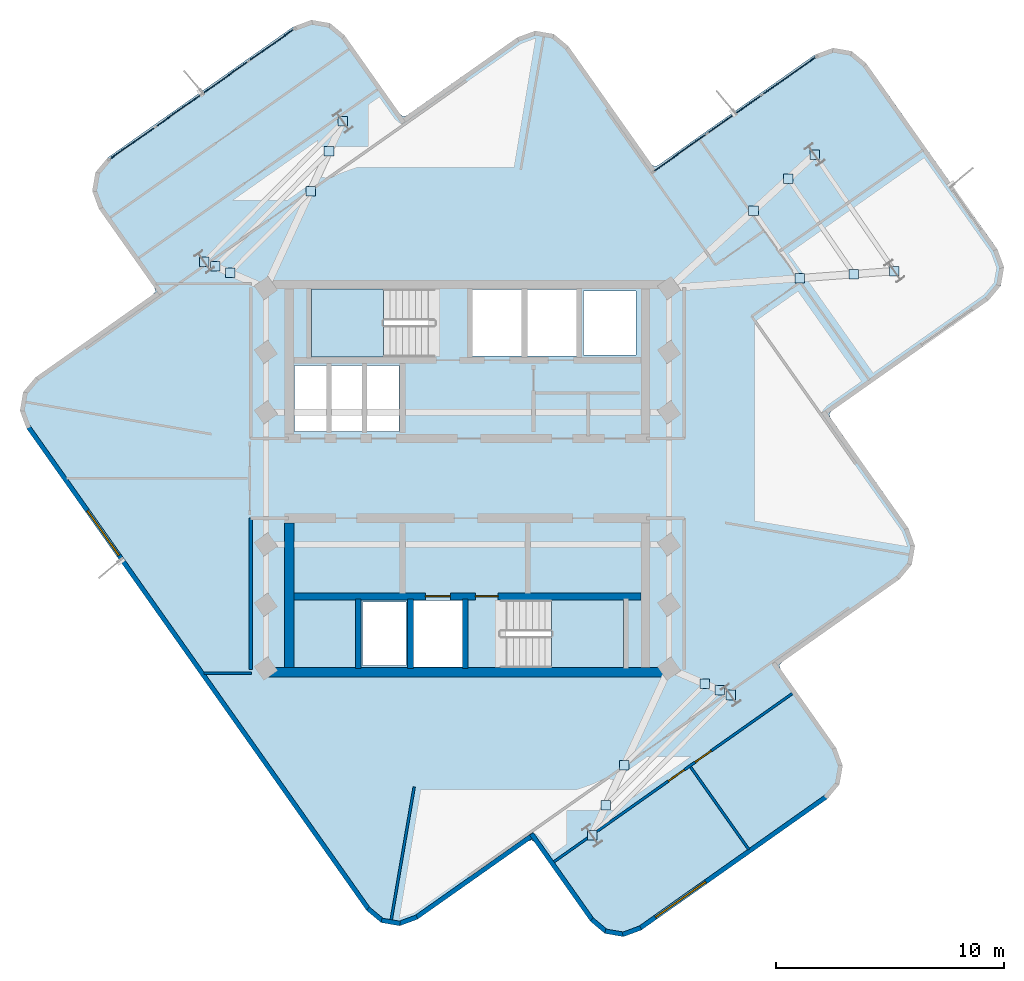
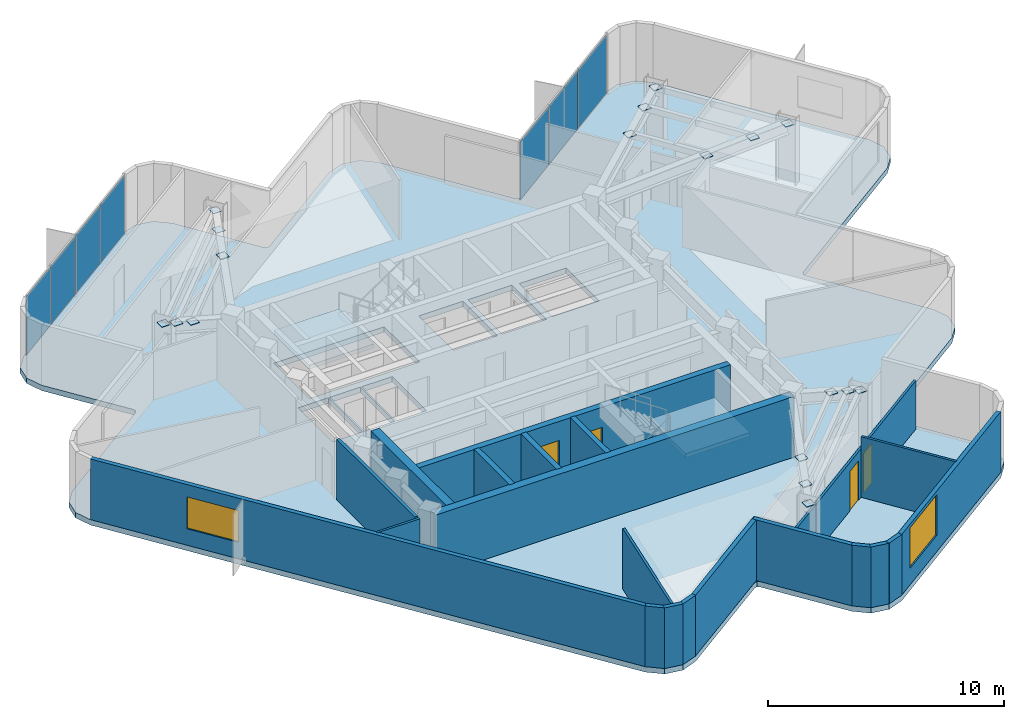
# One storey, part 3 of 8: 25 plates, 21 walls, 4 doors, 3 slabs, 2 windows, 6 openings, 4 elements without a shape of their own.
"""IFC4 building model written with IfcOpenShell, lengths in metres."""

from ifc_helpers import new_model, si_unit, direction, frame, frame_2d, origin, origin_2d, place, context, subcontext, project, spatial, polyline, rectangle, outline, extrude, material, layer, layer_set, type_object, element, fill, aggregate, save


model = new_model("IFC4")

# Units and contexts
model_context = context("Model", 3, precision=1e-05, world=origin(), true_north=direction((0.0, 1.0)))
body_context = subcontext(model_context, "Body", "Model", "MODEL_VIEW")
ifc_project = project(units=[si_unit("LENGTHUNIT", "METRE"), si_unit("AREAUNIT", "SQUARE_METRE"), si_unit("VOLUMEUNIT", "CUBIC_METRE"), si_unit("PLANEANGLEUNIT", "RADIAN"), si_unit("MASSUNIT", "GRAM", prefix="KILO")], contexts=[model_context])

# Site, building, storey
site_placement = place(None, origin())
site = spatial("IfcSite", under=ifc_project, at=site_placement, CompositionType="ELEMENT")
building_placement = place(site_placement, origin())
building = spatial("IfcBuilding", under=site, at=building_placement, Name="Solmarez Civic Tower", CompositionType="ELEMENT")
storey_placement = place(building_placement, frame((0.0, 0.0, 225.719970703125)))
storey = spatial("IfcBuildingStorey", under=building, at=storey_placement, Name="L60", CompositionType="ELEMENT", Elevation=225.719970703125)

# Curtain wall, plates
ifc_material_1 = material(Name="Bronze Anodised Aluminium EN AW-6063 T6", Category="aluminium")
ifc_layer_1 = layer(ifc_material_1, 0.1650390625)
ifc_layer_set_1 = layer_set([ifc_layer_1], Name="Bronze Anodised Aluminium EN AW-6063 T6")
curtain_wall_type = type_object("IfcCurtainWallType", Name="CW-SYS-4", PredefinedType="NOTDEFINED", material=ifc_layer_set_1)
curtain_wall_1_placement = place(storey_placement, origin())
curtain_wall_1 = element("IfcCurtainWall", 1, at=curtain_wall_1_placement, inside=storey, type_object=curtain_wall_type, Name="L60 Stick-Built Curtain Wall 1", PredefinedType="NOTDEFINED")
ifc_material_2 = material(Name="Solar Control Low-E Laminated Vision Glass", Category="glass")
ifc_layer_2 = layer(ifc_material_2, 0.0400390625)
ifc_layer_set_2 = layer_set([ifc_layer_2], Name="Solar Control Low-E Laminated Vision Glass")
plate_type_1 = type_object("IfcPlateType", Name="CWP-GLAZ-40", PredefinedType="CURTAIN_PANEL", material=ifc_layer_set_2)
plate_1_placement = place(storey_placement, frame((-14.7119140625, 14.708740234375, 0.070068359375), z_axis=(0.0, 0.0, 1.0), x_axis=(0.817164141594, 0.576405036145, 0.0)))
plate_1 = element("IfcPlate", 2, at=plate_1_placement, type_object=plate_type_1, Name="CWS4 panel 1.1", PredefinedType="CURTAIN_PANEL", context=body_context, shape_type="SweptSolid", body=[
    extrude(rectangle(XDim=2.41552734375, YDim=0.0400390625, at=origin_2d()), origin(), (0.0, 0.0, 1.0), 3.0),
])
plate_2_placement = place(storey_placement, frame((-12.6767578125, 16.144287109375, 0.070068359375), z_axis=(0.0, 0.0, 1.0), x_axis=(0.817164141594, 0.576405036145, 0.0)))
plate_2 = element("IfcPlate", 3, at=plate_2_placement, type_object=plate_type_1, Name="CWS4 panel 2.1", PredefinedType="CURTAIN_PANEL", context=body_context, shape_type="SweptSolid", body=[
    extrude(rectangle(XDim=2.445556640625, YDim=0.0400390625, at=origin_2d()), origin(), (0.0, 0.0, 1.0), 3.0),
])
plate_3_placement = place(storey_placement, frame((-10.629150390625, 17.588623046875, 0.070068359375), z_axis=(0.0, 0.0, 1.0), x_axis=(0.817164141594, 0.576405036145, 0.0)))
plate_3 = element("IfcPlate", 4, at=plate_3_placement, type_object=plate_type_1, Name="CWS4 panel 3.1", PredefinedType="CURTAIN_PANEL", context=body_context, shape_type="SweptSolid", body=[
    extrude(rectangle(XDim=2.445556640625, YDim=0.0400390625, at=origin_2d()), origin(), (0.0, 0.0, 1.0), 3.0),
])
plate_4_placement = place(storey_placement, frame((-8.593994140625, 19.024169921875, 0.070068359375), z_axis=(0.0, 0.0, 1.0), x_axis=(0.817164141594, 0.576405036145, 0.0)))
plate_4 = element("IfcPlate", 5, at=plate_4_placement, type_object=plate_type_1, Name="CWS4 panel 4.1", PredefinedType="CURTAIN_PANEL", context=body_context, shape_type="SweptSolid", body=[
    extrude(rectangle(XDim=2.41552734375, YDim=0.0400390625, at=origin_2d()), origin(), (0.0, 0.0, 1.0), 3.0),
])
aggregate(curtain_wall_1, [plate_1, plate_2, plate_3, plate_4])

curtain_wall_2_placement = place(storey_placement, origin())
curtain_wall_2 = element("IfcCurtainWall", 6, at=curtain_wall_2_placement, inside=storey, type_object=curtain_wall_type, Name="L60 Stick-Built Curtain Wall 2", PredefinedType="NOTDEFINED")
plate_5_placement = place(storey_placement, frame((9.3271484375, 14.2900390625, 0.070068359375), z_axis=(0.0, 0.0, 1.0), x_axis=(0.817143375845, 0.576434474431, 0.0)))
plate_5 = element("IfcPlate", 7, at=plate_5_placement, type_object=plate_type_1, Name="CWS4 panel 1.1", PredefinedType="CURTAIN_PANEL", context=body_context, shape_type="SweptSolid", body=[
    extrude(rectangle(XDim=2.85693359375, YDim=0.0400390625, at=origin_2d()), origin(), (0.0, 0.0, 1.0), 3.0),
])
plate_6_placement = place(storey_placement, frame((11.722900390625, 15.97998046875, 0.070068359375), z_axis=(0.0, 0.0, 1.0), x_axis=(0.817143375845, 0.576434474431, 0.0)))
plate_6 = element("IfcPlate", 8, at=plate_6_placement, type_object=plate_type_1, Name="CWS4 panel 2.1", PredefinedType="CURTAIN_PANEL", context=body_context, shape_type="SweptSolid", body=[
    extrude(rectangle(XDim=2.886962890625, YDim=0.0400390625, at=origin_2d()), origin(), (0.0, 0.0, 1.0), 3.0),
])
plate_7_placement = place(storey_placement, frame((14.11865234375, 17.669921875, 0.070068359375), z_axis=(0.0, 0.0, 1.0), x_axis=(0.817143375845, 0.576434474431, 0.0)))
plate_7 = element("IfcPlate", 9, at=plate_7_placement, type_object=plate_type_1, Name="CWS4 panel 3.1", PredefinedType="CURTAIN_PANEL", context=body_context, shape_type="SweptSolid", body=[
    extrude(rectangle(XDim=2.85693359375, YDim=0.0400390625, at=origin_2d()), origin(), (0.0, 0.0, 1.0), 3.0),
])
aggregate(curtain_wall_2, [plate_5, plate_6, plate_7])

# Plates
ifc_material_3 = material(Name="Steel S355", Category="steel")
ifc_layer_3 = layer(ifc_material_3, 0.02392578125)
ifc_layer_set_3 = layer_set([ifc_layer_3], Name="Steel S355")
plate_type_2 = type_object("IfcPlateType", Name="PLT-CAP-380", PredefinedType="USERDEFINED", material=ifc_layer_set_3)
for number, where, z_axis, x_axis, name in (
    (10, (18.740966796875, 9.096923828125, 2.97802734375), (0.0, 0.0, 1.0), (1.0, 0.0, 0.0), "Steel Member End Cap Plate CAP-BM-L60-EA-T1-0"),
    (11, (15.23388671875, 14.208984375, 2.97802734375), (0.0, 0.0, 1.0), (1.0, 0.0, 0.0), "Steel Member End Cap Plate CAP-BM-L60-EA-T1-1"),
    (12, (14.5869140625, 8.782958984375, 2.97802734375), (0.0, 0.0, 1.0), (1.0, 0.0, 0.0), "Steel Member End Cap Plate CAP-JS-L60-EA-M11-0"),
    (13, (12.552978515625, 11.748046875, 2.97802734375), (0.0, 0.0, 1.0), (1.0, 0.0, 0.0), "Steel Member End Cap Plate CAP-JS-L60-EA-M11-1"),
    (14, (16.9609375, 8.962890625, 2.97802734375), (0.0, 0.0, 1.0), (1.0, 0.0, 0.0), "Steel Member End Cap Plate CAP-JS-L60-EA-M12-0"),
    (15, (14.0849609375, 13.154052734375, 2.97802734375), (0.0, 0.0, 1.0), (1.0, 0.0, 0.0), "Steel Member End Cap Plate CAP-JS-L60-EA-M12-1"),
    (16, (-5.468017578125, 15.6708984375, 2.97802734375), (0.0, 0.0, 1.0), (1.0, 0.0, 0.0), "Steel Member End Cap Plate CAP-BM-L60-NA-T1-0"),
    (17, (-11.553955078125, 9.510009765625, 2.97802734375), (0.0, 0.0, 1.0), (1.0, 0.0, 0.0), "Steel Member End Cap Plate CAP-BM-L60-NA-T1-1"),
    (18, (-6.887939453125, 12.595947265625, 2.97802734375), (0.0, 0.0, 1.0), (1.0, 0.0, 0.0), "Steel Member End Cap Plate CAP-JS-L60-NA-M11-0"),
    (19, (-10.41796875, 9.02294921875, 2.97802734375), (0.0, 0.0, 1.0), (1.0, 0.0, 0.0), "Steel Member End Cap Plate CAP-JS-L60-NA-M11-1"),
    (20, (-6.076904296875, 14.35302734375, 2.97802734375), (0.0, 0.0, 1.0), (1.0, 0.0, 0.0), "Steel Member End Cap Plate CAP-JS-L60-NA-M12-0"),
    (21, (-11.06689453125, 9.301025390625, 2.97802734375), (0.0, 0.0, 1.0), (1.0, 0.0, 0.0), "Steel Member End Cap Plate CAP-JS-L60-NA-M12-1"),
    (22, (5.468017578125, -15.6708984375, 2.97802734375), (0.0, 0.0, 1.0), (1.0, 0.0, 0.0), "Steel Member End Cap Plate CAP-BM-L60-SA-T1-0"),
    (23, (11.553955078125, -9.510009765625, 2.97802734375), (0.0, 0.0, 1.0), (1.0, 0.0, 0.0), "Steel Member End Cap Plate CAP-BM-L60-SA-T1-1"),
    (24, (6.887939453125, -12.595947265625, 2.97802734375), (0.0, 0.0, 1.0), (1.0, 0.0, 0.0), "Steel Member End Cap Plate CAP-JS-L60-SA-M11-0"),
    (25, (10.41796875, -9.02294921875, 2.97802734375), (0.0, 0.0, 1.0), (1.0, 0.0, 0.0), "Steel Member End Cap Plate CAP-JS-L60-SA-M11-1"),
    (26, (6.076904296875, -14.35302734375, 2.97802734375), (0.0, 0.0, 1.0), (1.0, 0.0, 0.0), "Steel Member End Cap Plate CAP-JS-L60-SA-M12-0"),
    (27, (11.06689453125, -9.301025390625, 2.97802734375), (0.0, 0.0, 1.0), (1.0, 0.0, 0.0), "Steel Member End Cap Plate CAP-JS-L60-SA-M12-1"),
):
    element("IfcPlate", number, at=place(storey_placement, frame(where, z_axis=z_axis, x_axis=x_axis)), inside=storey, type_object=plate_type_2, Name=name, ObjectType="CAP_PLATE", PredefinedType="USERDEFINED", context=body_context, shape_type="SweptSolid", body=[
        extrude(rectangle(XDim=0.419921875, YDim=0.419921875, at=origin_2d()), origin(), (0.0, 0.0, 1.0), 0.02392578125),
    ])

# Stair, slab
ifc_material_4 = material(Name="Concrete C50/60", Category="concrete")
stair_type = type_object("IfcStairType", Name="STAIR-DOGLEG-140W-18R-1900", PredefinedType="HALF_TURN_STAIR", material=ifc_material_4)
stair_1_placement = place(storey_placement, origin())
stair_1 = element("IfcStair", 28, at=stair_1_placement, inside=storey, type_object=stair_type, Name="L60 North Core Protected Exit Stair ST-1", PredefinedType="HALF_TURN_STAIR")
ifc_layer_4 = layer(ifc_material_4, 0.199951171875)
ifc_layer_set_4 = layer_set([ifc_layer_4], Name="Concrete C50/60")
slab_type_1 = type_object("IfcSlabType", Name="SLAB-LANDING-200", PredefinedType="LANDING", material=ifc_layer_set_4)
slab_1_placement = place(storey_placement, frame((0.0, 0.0, 1.510009765625)))
slab_1 = element("IfcSlab", 29, at=slab_1_placement, type_object=slab_type_1, Name="ST-1 landing 1", PredefinedType="LANDING", context=body_context, shape_type="SweptSolid", body=[
    extrude(outline(polyline([(-3.68994140625, 8.320068359375), (-6.85009765625, 8.320068359375), (-6.85009765625, 5.320068359375), (-3.68994140625, 5.320068359375), (-3.68994140625, 8.320068359375)])), origin(), (0.0, 0.0, 1.0), 0.199951171875),
])
aggregate(stair_1, [slab_1])

stair_2_placement = place(storey_placement, origin())
stair_2 = element("IfcStair", 30, at=stair_2_placement, inside=storey, type_object=stair_type, Name="L60 South Core Protected Exit Stair ST-2", PredefinedType="HALF_TURN_STAIR")
slab_2_placement = place(storey_placement, frame((0.0, 0.0, 1.510009765625)))
slab_2 = element("IfcSlab", 31, at=slab_2_placement, type_object=slab_type_1, Name="ST-2 landing 1", PredefinedType="LANDING", context=body_context, shape_type="SweptSolid", body=[
    extrude(outline(polyline([(3.68994140625, -8.320068359375), (6.85009765625, -8.320068359375), (6.85009765625, -5.320068359375), (3.68994140625, -5.320068359375), (3.68994140625, -8.320068359375)])), origin(), (0.0, 0.0, 1.0), 0.199951171875),
])
aggregate(stair_2, [slab_2])

# Slab
ifc_layer_5 = layer(ifc_material_4, 0.280029296875)
ifc_layer_set_5 = layer_set([ifc_layer_5], Name="Concrete C50/60")
slab_type_2 = type_object("IfcSlabType", Name="SLAB-TOWER-280", PredefinedType="FLOOR", material=ifc_layer_set_5)
slab_3_placement = place(storey_placement, frame((0.0, 0.0, -0.280029296875)))
element("IfcSlab", 32, at=slab_3_placement, inside=storey, type_object=slab_type_2, Name="L60 Structural Slab", PredefinedType="FLOOR", context=body_context, shape_type="SweptSolid", body=[
    extrude(outline(polyline([(2.951904296875, -15.98095703125), (5.39599609375, -19.445068359375), (6.031982421875, -19.97607421875), (6.847900390625, -20.116943359375), (7.625, -19.8310546875), (15.797119140625, -14.06591796875), (16.326904296875, -13.429931640625), (16.468017578125, -12.614013671875), (16.181884765625, -11.8369140625), (13.738037109375, -8.3720703125), (13.678955078125, -8.2109375), (13.7890625, -8.0791015625), (18.968994140625, -4.425048828125), (19.4990234375, -3.7880859375), (19.639892578125, -2.971923828125), (19.35400390625, -2.195068359375), (15.930908203125, 2.657958984375), (15.87109375, 2.820068359375), (15.98095703125, 2.951904296875), (22.8779296875, 7.81689453125), (23.407958984375, 8.452880859375), (23.549072265625, 9.26904296875), (23.262939453125, 10.0458984375), (17.498046875, 18.218017578125), (16.862060546875, 18.748046875), (16.0458984375, 18.888916015625), (15.26904296875, 18.60302734375), (8.3720703125, 13.738037109375), (8.2109375, 13.678955078125), (8.0791015625, 13.7890625), (4.425048828125, 18.968994140625), (3.7880859375, 19.4990234375), (2.971923828125, 19.639892578125), (2.195068359375, 19.35400390625), (-2.657958984375, 15.930908203125), (-2.820068359375, 15.87109375), (-2.951904296875, 15.98095703125), (-5.39599609375, 19.445068359375), (-6.031982421875, 19.97607421875), (-6.847900390625, 20.116943359375), (-7.625, 19.8310546875), (-15.797119140625, 14.06591796875), (-16.326904296875, 13.429931640625), (-16.468017578125, 12.614013671875), (-16.181884765625, 11.8369140625), (-13.738037109375, 8.3720703125), (-13.678955078125, 8.2109375), (-13.7890625, 8.0791015625), (-18.968994140625, 4.425048828125), (-19.4990234375, 3.7880859375), (-19.639892578125, 2.971923828125), (-19.35400390625, 2.195068359375), (-4.425048828125, -18.968994140625), (-3.7880859375, -19.4990234375), (-2.971923828125, -19.639892578125), (-2.195068359375, -19.35400390625), (2.657958984375, -15.930908203125), (2.820068359375, -15.87109375), (2.951904296875, -15.98095703125)]), holes=[polyline([(-1.449951171875, 8.320068359375), (-6.85009765625, 8.320068359375), (-6.85009765625, 5.320068359375), (-1.449951171875, 5.320068359375), (-1.449951171875, 8.320068359375)]), polyline([(1.449951171875, -8.320068359375), (6.85009765625, -8.320068359375), (6.85009765625, -5.320068359375), (1.449951171875, -5.320068359375), (1.449951171875, -8.320068359375)]), polyline([(0.219970703125, 5.360107421875), (2.3798828125, 5.360107421875), (2.3798828125, 8.280029296875), (0.219970703125, 8.280029296875), (0.219970703125, 5.360107421875)]), polyline([(2.6201171875, 5.360107421875), (4.780029296875, 5.360107421875), (4.780029296875, 8.280029296875), (2.6201171875, 8.280029296875), (2.6201171875, 5.360107421875)]), polyline([(-2.3798828125, -8.280029296875), (-0.219970703125, -8.280029296875), (-0.219970703125, -5.360107421875), (-2.3798828125, -5.360107421875), (-2.3798828125, -8.280029296875)]), polyline([(-7.60009765625, 2.06005859375), (-6.1201171875, 2.06005859375), (-6.1201171875, 4.9599609375), (-7.60009765625, 4.9599609375), (-7.60009765625, 2.06005859375)]), polyline([(-6.0400390625, 2.06005859375), (-4.56005859375, 2.06005859375), (-4.56005859375, 4.9599609375), (-6.0400390625, 4.9599609375), (-6.0400390625, 2.06005859375)]), polyline([(-4.47998046875, 2.06005859375), (-3.0, 2.06005859375), (-3.0, 4.9599609375), (-4.47998046875, 4.9599609375), (-4.47998046875, 2.06005859375)]), polyline([(5.10009765625, 5.419921875), (7.39990234375, 5.419921875), (7.39990234375, 8.219970703125), (5.10009765625, 8.219970703125), (5.10009765625, 5.419921875)]), polyline([(-4.60009765625, -8.219970703125), (-2.699951171875, -8.219970703125), (-2.699951171875, -5.419921875), (-4.60009765625, -5.419921875), (-4.60009765625, -8.219970703125)])]), origin(), (0.0, 0.0, 1.0), 0.280029296875),
])

# Walls
ifc_layer_6 = layer(ifc_material_4, 0.39990234375)
ifc_layer_set_6 = layer_set([ifc_layer_6], Name="Concrete C50/60")
wall_type_1 = type_object("IfcWallType", Name="WALL-CORE-400", PredefinedType="SHEAR", material=ifc_layer_set_6)
wall_1_placement = place(storey_placement, frame((8.780029296875, -8.510009765625, 0.0), z_axis=(0.0, 0.0, 1.0), x_axis=(-1.0, 0.0, 0.0)))
element("IfcWall", 33, at=wall_1_placement, inside=storey, type_object=wall_type_1, Name="L60 Split-Core Structural Wall SCW-S-L60", PredefinedType="SHEAR", context=body_context, shape_type="SweptSolid", body=[
    extrude(rectangle(XDim=17.56005859375, YDim=0.39990234375, at=frame_2d((8.780029296875, 0.0))), origin(), (0.0, 0.0, 1.0), 3.14013671875),
])
wall_2_placement = place(storey_placement, frame((-7.820068359375, -8.31005859375, 0.0), z_axis=(0.0, 0.0, 1.0), x_axis=(0.0, 1.0, 0.0)))
element("IfcWall", 34, at=wall_2_placement, inside=storey, type_object=wall_type_1, Name="L60 Split-Core Structural Wall SCW-W-L60", PredefinedType="SHEAR", context=body_context, shape_type="SweptSolid", body=[
    extrude(rectangle(XDim=6.360107421875, YDim=0.39990234375, at=frame_2d((3.18017578125, 0.0))), origin(), (0.0, 0.0, 1.0), 3.14013671875),
])
ifc_material_5 = material(Name="Precast concrete C40/50", Category="concrete")
ifc_layer_7 = layer(ifc_material_5, 0.199951171875)
ifc_layer_set_7 = layer_set([ifc_layer_7], Name="Precast concrete C40/50")
wall_type_2 = type_object("IfcWallType", Name="WALL-EXT-200", PredefinedType="SOLIDWALL", material=ifc_layer_set_7)
wall_3_placement = place(storey_placement, frame((2.9189453125, -15.623046875, 0.0), z_axis=(0.0, 0.0, 1.0), x_axis=(-0.817050016192, -0.576566796686, 0.0)))
element("IfcWall", 35, at=wall_3_placement, inside=storey, type_object=wall_type_2, Name="L60 Exterior Precast Wall 2", PredefinedType="SOLIDWALL", context=body_context, shape_type="SweptSolid", body=[
    extrude(rectangle(XDim=6.341064453125, YDim=0.199951171875, at=frame_2d((3.17041015625, 0.0))), origin(), (0.0, 0.0, 1.0), 3.14013671875),
])
wall_4_placement = place(storey_placement, frame((-2.218994140625, -19.256103515625, 0.0), z_axis=(0.0, 0.0, 1.0), x_axis=(-0.938243551417, -0.345975487894, 0.0)))
element("IfcWall", 36, at=wall_4_placement, inside=storey, type_object=wall_type_2, Name="L60 Exterior Precast Wall 3", PredefinedType="SOLIDWALL", context=body_context, shape_type="SweptSolid", body=[
    extrude(rectangle(XDim=0.837646484375, YDim=0.199951171875, at=frame_2d((0.4189453125, 0.0))), origin(), (0.0, 0.0, 1.0), 3.14013671875),
])
wall_5_placement = place(storey_placement, frame((-2.95703125, -19.541015625, 0.0), z_axis=(0.0, 0.0, 1.0), x_axis=(-0.985466949497, 0.169867275979, 0.0)))
element("IfcWall", 37, at=wall_5_placement, inside=storey, type_object=wall_type_2, Name="L60 Exterior Precast Wall 4", PredefinedType="SOLIDWALL", context=body_context, shape_type="SweptSolid", body=[
    extrude(rectangle(XDim=0.824951171875, YDim=0.199951171875, at=frame_2d((0.41259765625, 0.0))), origin(), (0.0, 0.0, 1.0), 3.14013671875),
])
wall_6_placement = place(storey_placement, frame((-3.72607421875, -19.4208984375, 0.0), z_axis=(0.0, 0.0, 1.0), x_axis=(-0.768698761673, 0.639610986305, 0.0)))
element("IfcWall", 38, at=wall_6_placement, inside=storey, type_object=wall_type_2, Name="L60 Exterior Precast Wall 5", PredefinedType="SOLIDWALL", context=body_context, shape_type="SweptSolid", body=[
    extrude(rectangle(XDim=0.837890625, YDim=0.199951171875, at=frame_2d((0.4189453125, 0.0))), origin(), (0.0, 0.0, 1.0), 3.14013671875),
])

# Wall, opening, window
wall_7_placement = place(storey_placement, frame((-4.3369140625, -18.9208984375, 0.0), z_axis=(0.0, 0.0, 1.0), x_axis=(-0.576413609547, 0.817158094085, 0.0)))
wall_7 = element("IfcWall", 39, at=wall_7_placement, inside=storey, type_object=wall_type_2, Name="L60 Exterior Precast Wall 6", PredefinedType="SOLIDWALL", context=body_context, shape_type="SweptSolid", body=[
    extrude(rectangle(XDim=25.922607421875, YDim=0.199951171875, at=frame_2d((12.96142578125, 0.0))), origin(), (0.0, 0.0, 1.0), 3.14013671875),
])
opening_1_placement = place(wall_7_placement, frame((19.02001953125, 0.0, 0.85009765625)))
opening_1 = element("IfcOpeningElement", 40, at=opening_1_placement, cuts=wall_7, Name="Opening W-10", PredefinedType="OPENING", context=body_context, shape_type="SweptSolid", body=[
    extrude(rectangle(XDim=2.39990234375, YDim=1.64990234375, at=frame_2d((1.199951171875, 0.824951171875))), frame((0.0, 0.10986328125, 0.0), z_axis=(0.0, -1.0, 0.0), x_axis=(1.0, 0.0, 0.0)), (0.0, 0.0, 1.0), 0.219970703125),
])
ifc_material_6 = material(Name="Solar Control Bronze-Tinted Insulating Glass", Category="glass")
window_type_1 = type_object("IfcWindowType", Name="WIN-2400X1650", PartitioningType="SINGLE_PANEL", PredefinedType="WINDOW", material=ifc_material_6)
window_1_placement = place(opening_1_placement, origin())
window_1 = element("IfcWindow", 41, at=window_1_placement, inside=storey, type_object=window_type_1, Name="L60 Exterior Facade Window 6", OverallHeight=1.64990234375, OverallWidth=2.39990234375, PartitioningType="SINGLE_PANEL", PredefinedType="WINDOW", context=body_context, shape_type="SweptSolid", body=[
    extrude(rectangle(XDim=2.39990234375, YDim=1.64990234375, at=frame_2d((1.199951171875, 0.824951171875))), frame((0.0, 0.030029296875, 0.0), z_axis=(0.0, -1.0, 0.0), x_axis=(1.0, 0.0, 0.0)), (0.0, 0.0, 1.0), 0.06005859375),
])
fill(opening_1, window_1)

wall_8_placement = place(storey_placement, frame((15.748046875, -13.97802734375, 0.0), z_axis=(0.0, 0.0, 1.0), x_axis=(-0.817168991675, -0.576398160168, 0.0)))
wall_8 = element("IfcWall", 42, at=wall_8_placement, inside=storey, type_object=wall_type_2, Name="L60 Exterior Precast Wall 53", PredefinedType="SOLIDWALL", context=body_context, shape_type="SweptSolid", body=[
    extrude(rectangle(XDim=10.022216796875, YDim=0.199951171875, at=frame_2d((5.01123046875, 0.0))), origin(), (0.0, 0.0, 1.0), 3.14013671875),
])
opening_2_placement = place(wall_8_placement, frame((6.468017578125, 0.0, 0.85009765625)))
opening_2 = element("IfcOpeningElement", 43, at=opening_2_placement, cuts=wall_8, Name="Opening W-01", PredefinedType="OPENING", context=body_context, shape_type="SweptSolid", body=[
    extrude(rectangle(XDim=2.699951171875, YDim=2.10009765625, at=frame_2d((1.35009765625, 1.050048828125))), frame((0.0, 0.10986328125, 0.0), z_axis=(0.0, -1.0, 0.0), x_axis=(1.0, 0.0, 0.0)), (0.0, 0.0, 1.0), 0.219970703125),
])
window_type_2 = type_object("IfcWindowType", Name="WIN-2700X2100", PartitioningType="SINGLE_PANEL", PredefinedType="WINDOW", material=ifc_material_6)
window_2_placement = place(opening_2_placement, origin())
window_2 = element("IfcWindow", 44, at=window_2_placement, inside=storey, type_object=window_type_2, Name="L60 Exterior Facade Window 53", OverallHeight=2.10009765625, OverallWidth=2.699951171875, PartitioningType="SINGLE_PANEL", PredefinedType="WINDOW", context=body_context, shape_type="SweptSolid", body=[
    extrude(rectangle(XDim=2.699951171875, YDim=2.10009765625, at=frame_2d((1.35009765625, 1.050048828125))), frame((0.0, 0.030029296875, 0.0), z_axis=(0.0, -1.0, 0.0), x_axis=(1.0, 0.0, 0.0)), (0.0, 0.0, 1.0), 0.06005859375),
])
fill(opening_2, window_2)

# Walls
wall_9_placement = place(storey_placement, frame((7.60107421875, -19.73193359375, 0.0), z_axis=(0.0, 0.0, 1.0), x_axis=(-0.937664324164, -0.347542249504, 0.0)))
element("IfcWall", 45, at=wall_9_placement, inside=storey, type_object=wall_type_2, Name="L60 Exterior Precast Wall 54", PredefinedType="SOLIDWALL", context=body_context, shape_type="SweptSolid", body=[
    extrude(rectangle(XDim=0.83740234375, YDim=0.199951171875, at=frame_2d((0.418701171875, 0.0))), origin(), (0.0, 0.0, 1.0), 3.14013671875),
])
wall_10_placement = place(storey_placement, frame((6.864013671875, -20.01806640625, 0.0), z_axis=(0.0, 0.0, 1.0), x_axis=(-0.985501046628, 0.16966934636, 0.0)))
element("IfcWall", 46, at=wall_10_placement, inside=storey, type_object=wall_type_2, Name="L60 Exterior Precast Wall 55", PredefinedType="SOLIDWALL", context=body_context, shape_type="SweptSolid", body=[
    extrude(rectangle(XDim=0.825927734375, YDim=0.199951171875, at=frame_2d((0.4130859375, 0.0))), origin(), (0.0, 0.0, 1.0), 3.14013671875),
])
wall_11_placement = place(storey_placement, frame((6.093994140625, -19.89794921875, 0.0), z_axis=(0.0, 0.0, 1.0), x_axis=(-0.767647650908, 0.640872127694, 0.0)))
element("IfcWall", 47, at=wall_11_placement, inside=storey, type_object=wall_type_2, Name="L60 Exterior Precast Wall 56", PredefinedType="SOLIDWALL", context=body_context, shape_type="SweptSolid", body=[
    extrude(rectangle(XDim=0.837646484375, YDim=0.199951171875, at=frame_2d((0.4189453125, 0.0))), origin(), (0.0, 0.0, 1.0), 3.14013671875),
])
wall_12_placement = place(storey_placement, frame((5.48388671875, -19.39697265625, 0.0), z_axis=(0.0, 0.0, 1.0), x_axis=(-0.576451897958, 0.817131084551, 0.0)))
element("IfcWall", 48, at=wall_12_placement, inside=storey, type_object=wall_type_2, Name="L60 Exterior Precast Wall 57", PredefinedType="SOLIDWALL", context=body_context, shape_type="SweptSolid", body=[
    extrude(rectangle(XDim=4.641845703125, YDim=0.199951171875, at=frame_2d((2.32080078125, 0.0))), origin(), (0.0, 0.0, 1.0), 3.14013671875),
])
ifc_material_7 = material(Name="Gypsum Board Acoustic Steel-Stud Partition", Category="steel")
ifc_layer_8 = layer(ifc_material_7, 0.14990234375)
ifc_layer_set_8 = layer_set([ifc_layer_8], Name="Gypsum Board Acoustic Steel-Stud Partition")
wall_type_3 = type_object("IfcWallType", Name="WALL-INT-FIRE-150", PredefinedType="PARTITIONING", material=ifc_layer_set_8)
wall_13_placement = place(storey_placement, frame((-9.52001953125, -8.3798828125, 0.0), z_axis=(0.0, 0.0, 1.0), x_axis=(0.0, 1.0, 0.0)))
element("IfcWall", 49, at=wall_13_placement, inside=storey, type_object=wall_type_3, Name="L60 Interior Partition CHW-L60-WS1", PredefinedType="PARTITIONING", context=body_context, shape_type="SweptSolid", body=[
    extrude(rectangle(XDim=6.6298828125, YDim=0.14990234375, at=frame_2d((3.31494140625, 0.0))), origin(), (0.0, 0.0, 1.0), 3.14013671875),
])
ifc_layer_9 = layer(ifc_material_7, 0.110107421875)
ifc_layer_set_9 = layer_set([ifc_layer_9], Name="Gypsum Board Acoustic Steel-Stud Partition")
wall_type_4 = type_object("IfcWallType", Name="WALL-INT-PART-110", PredefinedType="PARTITIONING", material=ifc_layer_set_9)
wall_14_placement = place(storey_placement, frame((-11.572998046875, -8.550048828125, 0.0), z_axis=(0.0, 0.0, 1.0), x_axis=(1.0, 0.0, 0.0)))
element("IfcWall", 50, at=wall_14_placement, inside=storey, type_object=wall_type_4, Name="L60 Interior Partition PT-L60-WH-BS", PredefinedType="PARTITIONING", context=body_context, shape_type="SweptSolid", body=[
    extrude(rectangle(XDim=2.093017578125, YDim=0.110107421875, at=frame_2d((1.04638671875, 0.0))), origin(), (0.0, 0.0, 1.0), 3.14013671875),
])
wall_15_placement = place(storey_placement, frame((-2.337890625, -13.5400390625, 0.0), z_axis=(0.0, 0.0, 1.0), x_axis=(-0.1703339471, -0.9853863945, 0.0)))
element("IfcWall", 51, at=wall_15_placement, inside=storey, type_object=wall_type_4, Name="L60 Interior Partition PT-L60-QDIV-3", PredefinedType="PARTITIONING", context=body_context, shape_type="SweptSolid", body=[
    extrude(rectangle(XDim=5.953857421875, YDim=0.110107421875, at=frame_2d((2.97705078125, 0.0))), origin(), (0.0, 0.0, 1.0), 3.14013671875),
])
wall_16_placement = place(storey_placement, frame((9.794921875, -12.6708984375, 0.0), z_axis=(0.0, 0.0, 1.0), x_axis=(0.576531911777, -0.817074632272, 0.0)))
element("IfcWall", 52, at=wall_16_placement, inside=storey, type_object=wall_type_4, Name="L60 Interior Partition PT-L60-S-TM3", PredefinedType="PARTITIONING", context=body_context, shape_type="SweptSolid", body=[
    extrude(rectangle(XDim=4.435302734375, YDim=0.110107421875, at=frame_2d((2.2177734375, 0.0))), origin(), (0.0, 0.0, 1.0), 3.14013671875),
])

# Wall, openings, doors
wall_17_placement = place(storey_placement, frame((3.76611328125, -16.85009765625, 0.0), z_axis=(0.0, 0.0, 1.0), x_axis=(0.817131323803, 0.576451558815, 0.0)))
wall_17 = element("IfcWall", 53, at=wall_17_placement, inside=storey, type_object=wall_type_4, Name="L60 Interior Partition PT-L60-S-SCUT", PredefinedType="PARTITIONING", context=body_context, shape_type="SweptSolid", body=[
    extrude(rectangle(XDim=12.870361328125, YDim=0.110107421875, at=frame_2d((6.43505859375, 0.0))), origin(), (0.0, 0.0, 1.0), 2.510009765625),
])
opening_3_placement = place(wall_17_placement, frame((6.18505859375, 0.0, 0.0)))
opening_3 = element("IfcOpeningElement", 54, at=opening_3_placement, cuts=wall_17, Name="Opening D-14", PredefinedType="OPENING", context=body_context, shape_type="SweptSolid", body=[
    extrude(rectangle(XDim=0.860107421875, YDim=2.0400390625, at=frame_2d((0.43017578125, 1.02001953125))), frame((0.0, 0.06494140625, 0.0), z_axis=(0.0, -1.0, 0.0), x_axis=(1.0, 0.0, 0.0)), (0.0, 0.0, 1.0), 0.130126953125),
])
opening_4_placement = place(wall_17_placement, frame((7.625, 0.0, 0.0)))
opening_4 = element("IfcOpeningElement", 55, at=opening_4_placement, cuts=wall_17, Name="Opening D-14", PredefinedType="OPENING", context=body_context, shape_type="SweptSolid", body=[
    extrude(rectangle(XDim=0.860107421875, YDim=2.0400390625, at=frame_2d((0.43017578125, 1.02001953125))), frame((0.0, 0.06494140625, 0.0), z_axis=(0.0, -1.0, 0.0), x_axis=(1.0, 0.0, 0.0)), (0.0, 0.0, 1.0), 0.130126953125),
])
ifc_material_8 = material(Name="Timber Storage and Pantry Door", Category="wood")
door_type_1 = type_object("IfcDoorType", Name="DOOR-INT-850", OperationType="NOTDEFINED", PredefinedType="DOOR", material=ifc_material_8)
door_1_placement = place(opening_3_placement, origin())
door_1 = element("IfcDoor", 56, at=door_1_placement, inside=storey, type_object=door_type_1, Name="L60 Directorate Office Third South Door", OperationType="SINGLE_SWING_RIGHT", OverallHeight=2.0400390625, OverallWidth=0.860107421875, PredefinedType="DOOR", context=body_context, shape_type="SweptSolid", body=[
    extrude(rectangle(XDim=0.860107421875, YDim=2.0400390625, at=frame_2d((0.43017578125, 1.02001953125))), frame((0.0, 0.02490234375, 0.0), z_axis=(0.0, -1.0, 0.0), x_axis=(1.0, 0.0, 0.0)), (0.0, 0.0, 1.0), 0.050048828125),
])
fill(opening_3, door_1)
door_2_placement = place(opening_4_placement, origin())
door_2 = element("IfcDoor", 57, at=door_2_placement, inside=storey, type_object=door_type_1, Name="L60 Policy Administration Office Second South Door", OperationType="SINGLE_SWING_LEFT", OverallHeight=2.0400390625, OverallWidth=0.860107421875, PredefinedType="DOOR", context=body_context, shape_type="SweptSolid", body=[
    extrude(rectangle(XDim=0.860107421875, YDim=2.0400390625, at=frame_2d((0.43017578125, 1.02001953125))), frame((0.0, 0.02490234375, 0.0), z_axis=(0.0, -1.0, 0.0), x_axis=(1.0, 0.0, 0.0)), (0.0, 0.0, 1.0), 0.050048828125),
])
fill(opening_4, door_2)

ifc_layer_10 = layer(ifc_material_4, 0.300048828125)
ifc_layer_set_10 = layer_set([ifc_layer_10], Name="Concrete C50/60")
wall_type_5 = type_object("IfcWallType", Name="WALL-STR-300", PredefinedType="SOLIDWALL", material=ifc_layer_set_10)
wall_18_placement = place(storey_placement, frame((-7.6201171875, -5.179931640625, 0.0), z_axis=(0.0, 0.0, 1.0), x_axis=(1.0, 0.0, 0.0)))
wall_18 = element("IfcWall", 58, at=wall_18_placement, inside=storey, type_object=wall_type_5, Name="L60 Split-Core Structural Wall SCW-M-L60", PredefinedType="SOLIDWALL", context=body_context, shape_type="SweptSolid", body=[
    extrude(rectangle(XDim=15.240234375, YDim=0.300048828125, at=frame_2d((7.6201171875, 0.0))), origin(), (0.0, 0.0, 1.0), 3.14013671875),
])
opening_5_placement = place(wall_18_placement, frame((5.77001953125, 0.0, 0.0)))
opening_5 = element("IfcOpeningElement", 59, at=opening_5_placement, cuts=wall_18, Name="Opening LD-02", PredefinedType="OPENING", context=body_context, shape_type="SweptSolid", body=[
    extrude(rectangle(XDim=1.10009765625, YDim=2.14990234375, at=frame_2d((0.550048828125, 1.074951171875))), frame((0.0, 0.159912109375, 0.0), z_axis=(0.0, -1.0, 0.0), x_axis=(1.0, 0.0, 0.0)), (0.0, 0.0, 1.0), 0.320068359375),
])
opening_6_placement = place(wall_18_placement, frame((7.969970703125, 0.0, 0.0)))
opening_6 = element("IfcOpeningElement", 60, at=opening_6_placement, cuts=wall_18, Name="Opening D-05", PredefinedType="OPENING", context=body_context, shape_type="SweptSolid", body=[
    extrude(rectangle(XDim=1.0, YDim=2.10009765625, at=frame_2d((0.5, 1.050048828125))), frame((0.0, 0.159912109375, 0.0), z_axis=(0.0, -1.0, 0.0), x_axis=(1.0, 0.0, 0.0)), (0.0, 0.0, 1.0), 0.320068359375),
])
ifc_material_9 = material(Name="Fire-Rated Stairwell Exit Door", Category="wood")
door_type_2 = type_object("IfcDoorType", Name="DOOR-FD90-1000", OperationType="NOTDEFINED", PredefinedType="DOOR", material=ifc_material_9)
door_3_placement = place(opening_6_placement, origin())
door_3 = element("IfcDoor", 61, at=door_3_placement, inside=storey, type_object=door_type_2, Name="L60 South Exit Stair Door ST-2", OperationType="SINGLE_SWING_RIGHT", OverallHeight=2.10009765625, OverallWidth=1.0, PredefinedType="DOOR", context=body_context, shape_type="SweptSolid", body=[
    extrude(rectangle(XDim=1.0, YDim=2.10009765625, at=frame_2d((0.5, 1.050048828125))), frame((0.0, 0.02490234375, 0.0), z_axis=(0.0, -1.0, 0.0), x_axis=(1.0, 0.0, 0.0)), (0.0, 0.0, 1.0), 0.050048828125),
])
fill(opening_6, door_3)
ifc_material_10 = material(Name="Stainless Firefighting Lift Landing Sliding Door", Category="aluminium")
door_type_3 = type_object("IfcDoorType", Name="DOOR-LD-FF-1100", OperationType="DOUBLE_DOOR_SLIDING", PredefinedType="DOOR", material=ifc_material_10)
door_4_placement = place(opening_5_placement, origin())
door_4 = element("IfcDoor", 62, at=door_4_placement, inside=storey, type_object=door_type_3, Name="L60 Firefighting Lift Landing Door FFL-2", OperationType="DOUBLE_DOOR_SLIDING", OverallHeight=2.14990234375, OverallWidth=1.10009765625, PredefinedType="DOOR", context=body_context, shape_type="SweptSolid", body=[
    extrude(rectangle(XDim=1.10009765625, YDim=2.14990234375, at=frame_2d((0.550048828125, 1.074951171875))), frame((0.0, 0.02490234375, 0.0), z_axis=(0.0, -1.0, 0.0), x_axis=(1.0, 0.0, 0.0)), (0.0, 0.0, 1.0), 0.050048828125),
])
fill(opening_5, door_4)

# Walls
for number, where, z_axis, x_axis, name in (
    (63, (-0.10009765625, -8.340087890625, 0.0), (0.0, 0.0, 1.0), (0.0, 1.0, 0.0), "L60 Split-Core Structural Wall SHW-S1-L60"),
    (64, (-2.5, -8.340087890625, 0.0), (0.0, 0.0, 1.0), (0.0, 1.0, 0.0), "L60 Split-Core Structural Wall SHW-S2-L60"),
    (65, (-4.800048828125, -8.340087890625, 0.0), (0.0, 0.0, 1.0), (0.0, 1.0, 0.0), "L60 Split-Core Structural Wall SHW-S3-L60"),
):
    element("IfcWall", number, at=place(storey_placement, frame(where, z_axis=z_axis, x_axis=x_axis)), inside=storey, type_object=wall_type_5, Name=name, PredefinedType="SOLIDWALL", context=body_context, shape_type="SweptSolid", body=[
        extrude(rectangle(XDim=3.0400390625, YDim=0.25, at=frame_2d((1.52001953125, 0.0))), origin(), (0.0, 0.0, 1.0), 3.14013671875),
    ])

save(model, "model.ifc")
